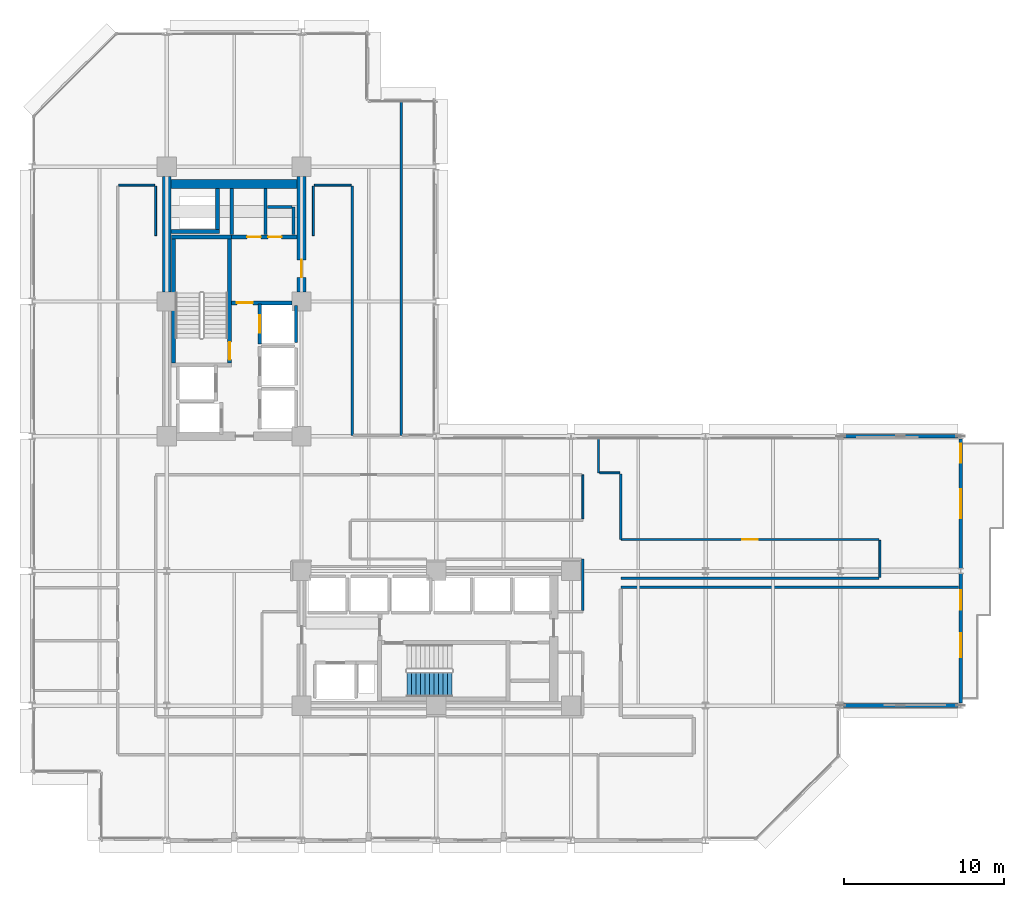
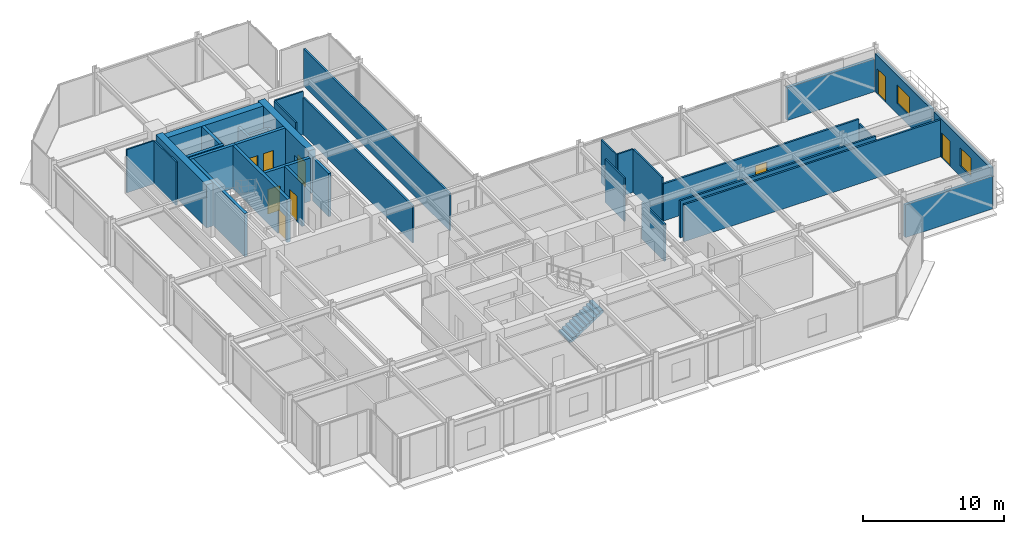
# One storey, part 35 of 40: 35 walls, 9 doors, 2 windows, 1 stair flight, 11 openings, 1 element without a shape of its own.
"""IFC4 building model written with IfcOpenShell, lengths in metres."""

from ifc_helpers import new_model, si_unit, direction, frame, frame_2d, origin, place, context, subcontext, project, spatial, polyline, rectangle, outline, extrude, material, layer, layer_set, type_object, element, fill, aggregate, save


model = new_model("IFC4")

# Units and contexts
model_context = context("Model", 3, precision=1e-05, world=origin(), true_north=direction((0.0, 1.0)))
body_context = subcontext(model_context, "Body", "Model", "MODEL_VIEW")
ifc_project = project(units=[si_unit("LENGTHUNIT", "METRE"), si_unit("AREAUNIT", "SQUARE_METRE"), si_unit("VOLUMEUNIT", "CUBIC_METRE"), si_unit("PLANEANGLEUNIT", "RADIAN"), si_unit("MASSUNIT", "GRAM", prefix="KILO")], contexts=[model_context])

# Site, building, storey
site_placement = place(None, origin())
site = spatial("IfcSite", under=ifc_project, at=site_placement, CompositionType="ELEMENT")
building_placement = place(site_placement, origin())
building = spatial("IfcBuilding", under=site, at=building_placement, Name="Nerrivon Quay Data Exchange", CompositionType="ELEMENT")
storey_placement = place(building_placement, frame((0.0, 0.0, 109.0)))
storey = spatial("IfcBuildingStorey", under=building, at=storey_placement, Name="L25", CompositionType="ELEMENT", Elevation=109.0)

# Wall, openings, door, window
ifc_material_1 = material(Name="Architectural terracotta precast concrete N50 (50 MPa)", Category="masonry")
ifc_layer_1 = layer(ifc_material_1, 0.239990234375)
ifc_layer_set_1 = layer_set([ifc_layer_1], Name="Architectural terracotta precast concrete N50 (50 MPa)")
wall_type_1 = type_object("IfcWallType", Name="EW-PREC-240", PredefinedType="STANDARD", material=ifc_layer_set_1)
wall_1_placement = place(storey_placement, frame((57.89990234375, 25.03662109375, 0.0), z_axis=(0.0, 0.0, 1.0), x_axis=(0.0, -1.0, 0.0)))
wall_1 = element("IfcWall", 1, at=wall_1_placement, inside=storey, type_object=wall_type_1, Name="L25 Terrace Host Wall 1", PredefinedType="STANDARD", context=body_context, shape_type="SweptSolid", body=[
    extrude(rectangle(XDim=8.0732421875, YDim=0.239990234375, at=frame_2d((4.03662109375, 0.0))), origin(), (0.0, 0.0, 1.0), 3.346923828125),
])
opening_1_placement = place(wall_1_placement, frame((0.300048828125, 0.0, 0.0)))
opening_1 = element("IfcOpeningElement", 2, at=opening_1_placement, cuts=wall_1, Name="Opening TD1", PredefinedType="OPENING", context=body_context, shape_type="SweptSolid", body=[
    extrude(rectangle(XDim=1.199951171875, YDim=2.199951171875, at=frame_2d((0.60009765625, 1.10009765625))), frame((0.0, 0.1298828125, 0.0), z_axis=(0.0, -1.0, 0.0), x_axis=(1.0, 0.0, 0.0)), (0.0, 0.0, 1.0), 0.260009765625),
])
opening_2_placement = place(wall_1_placement, frame((3.136474609375, 0.0, 0.89990234375)))
opening_2 = element("IfcOpeningElement", 3, at=opening_2_placement, cuts=wall_1, Name="Opening WN2", PredefinedType="OPENING", context=body_context, shape_type="SweptSolid", body=[
    extrude(rectangle(XDim=1.800048828125, YDim=1.60009765625, at=frame_2d((0.89990234375, 0.800048828125))), frame((0.0, 0.1298828125, 0.0), z_axis=(0.0, -1.0, 0.0), x_axis=(1.0, 0.0, 0.0)), (0.0, 0.0, 1.0), 0.260009765625),
])
ifc_material_2 = material(Name="Double-glazed low-E solar control glass", Category="glass")
door_type_1 = type_object("IfcDoorType", Name="DR-TERR-1200x2200", OperationType="NOTDEFINED", PredefinedType="DOOR", material=ifc_material_2)
door_1_placement = place(opening_1_placement, origin())
door_1 = element("IfcDoor", 4, at=door_1_placement, inside=storey, type_object=door_type_1, Name="L25 Outdoor Terrace Access Door 1", OperationType="SINGLE_SWING_RIGHT", OverallHeight=2.199951171875, OverallWidth=1.199951171875, PredefinedType="DOOR", context=body_context, shape_type="SweptSolid", body=[
    extrude(rectangle(XDim=1.199951171875, YDim=2.199951171875, at=frame_2d((0.60009765625, 1.10009765625))), frame((0.0, 0.02490234375, 0.0), z_axis=(0.0, -1.0, 0.0), x_axis=(1.0, 0.0, 0.0)), (0.0, 0.0, 1.0), 0.050048828125),
])
fill(opening_1, door_1)
window_type_1 = type_object("IfcWindowType", Name="WIN-W2-1800x1600", PartitioningType="SINGLE_PANEL", PredefinedType="WINDOW", material=ifc_material_2)
window_1_placement = place(opening_2_placement, origin())
window_1 = element("IfcWindow", 5, at=window_1_placement, inside=storey, type_object=window_type_1, Name="L25 Terrace Side Window 1", OverallHeight=1.60009765625, OverallWidth=1.800048828125, PartitioningType="SINGLE_PANEL", PredefinedType="WINDOW", context=body_context, shape_type="SweptSolid", body=[
    extrude(rectangle(XDim=1.800048828125, YDim=1.60009765625, at=frame_2d((0.89990234375, 0.800048828125))), frame((0.0, 0.030029296875, 0.0), z_axis=(0.0, -1.0, 0.0), x_axis=(1.0, 0.0, 0.0)), (0.0, 0.0, 1.0), 0.06005859375),
])
fill(opening_2, window_1)

wall_2_placement = place(storey_placement, frame((57.89990234375, 16.636474609375, 0.0), z_axis=(0.0, 0.0, 1.0), x_axis=(0.0, -1.0, 0.0)))
wall_2 = element("IfcWall", 6, at=wall_2_placement, inside=storey, type_object=wall_type_1, Name="L25 Terrace Host Wall 2", PredefinedType="STANDARD", context=body_context, shape_type="SweptSolid", body=[
    extrude(rectangle(XDim=8.072998046875, YDim=0.239990234375, at=frame_2d((4.03662109375, 0.0))), origin(), (0.0, 0.0, 1.0), 3.346923828125),
])
opening_3_placement = place(wall_2_placement, frame((1.050048828125, 0.0, 0.0)))
opening_3 = element("IfcOpeningElement", 7, at=opening_3_placement, cuts=wall_2, Name="Opening TD1", PredefinedType="OPENING", context=body_context, shape_type="SweptSolid", body=[
    extrude(rectangle(XDim=1.199951171875, YDim=2.199951171875, at=frame_2d((0.60009765625, 1.10009765625))), frame((0.0, 0.1298828125, 0.0), z_axis=(0.0, -1.0, 0.0), x_axis=(1.0, 0.0, 0.0)), (0.0, 0.0, 1.0), 0.260009765625),
])
opening_4_placement = place(wall_2_placement, frame((3.72216796875, 0.0, 0.89990234375)))
opening_4 = element("IfcOpeningElement", 8, at=opening_4_placement, cuts=wall_2, Name="Opening WN4", PredefinedType="OPENING", context=body_context, shape_type="SweptSolid", body=[
    extrude(rectangle(XDim=1.5, YDim=1.60009765625, at=frame_2d((0.75, 0.800048828125))), frame((0.0, 0.1298828125, 0.0), z_axis=(0.0, -1.0, 0.0), x_axis=(1.0, 0.0, 0.0)), (0.0, 0.0, 1.0), 0.260009765625),
])
door_2_placement = place(opening_3_placement, origin())
door_2 = element("IfcDoor", 9, at=door_2_placement, inside=storey, type_object=door_type_1, Name="L25 Outdoor Terrace Access Door 2", OperationType="SINGLE_SWING_LEFT", OverallHeight=2.199951171875, OverallWidth=1.199951171875, PredefinedType="DOOR", context=body_context, shape_type="SweptSolid", body=[
    extrude(rectangle(XDim=1.199951171875, YDim=2.199951171875, at=frame_2d((0.60009765625, 1.10009765625))), frame((0.0, 0.02490234375, 0.0), z_axis=(0.0, -1.0, 0.0), x_axis=(1.0, 0.0, 0.0)), (0.0, 0.0, 1.0), 0.050048828125),
])
fill(opening_3, door_2)
window_type_2 = type_object("IfcWindowType", Name="WIN-W4-1500x1600", PartitioningType="SINGLE_PANEL", PredefinedType="WINDOW", material=ifc_material_2)
window_2_placement = place(opening_4_placement, origin())
window_2 = element("IfcWindow", 10, at=window_2_placement, inside=storey, type_object=window_type_2, Name="L25 Terrace Side Window 2", OverallHeight=1.60009765625, OverallWidth=1.5, PartitioningType="SINGLE_PANEL", PredefinedType="WINDOW", context=body_context, shape_type="SweptSolid", body=[
    extrude(rectangle(XDim=1.5, YDim=1.60009765625, at=frame_2d((0.75, 0.800048828125))), frame((0.0, 0.030029296875, 0.0), z_axis=(0.0, -1.0, 0.0), x_axis=(1.0, 0.0, 0.0)), (0.0, 0.0, 1.0), 0.06005859375),
])
fill(opening_4, window_2)

# Walls
for number, where, z_axis, x_axis, name in (
    (11, (57.744384765625, 8.39990234375, 0.0), (0.0, 0.0, 1.0), (-1.0, 0.0, 0.0), "L25 Plant Enclosure Wall 3"),
    (12, (50.60009765625, 25.199951171875, 0.0), (0.0, 0.0, 1.0), (1.0, 0.0, 0.0), "L25 Plant Enclosure Wall 35"),
):
    element("IfcWall", number, at=place(storey_placement, frame(where, z_axis=z_axis, x_axis=x_axis)), inside=storey, type_object=wall_type_1, Name=name, PredefinedType="STANDARD", context=body_context, shape_type="SweptSolid", body=[
        extrude(rectangle(XDim=7.144287109375, YDim=0.239990234375, at=frame_2d((3.572265625, 0.0))), origin(), (0.0, 0.0, 1.0), 2.840087890625),
    ])
ifc_material_3 = material(Name="Concrete S65 (65 MPa)", Category="concrete")
ifc_layer_2 = layer(ifc_material_3, 0.550048828125)
ifc_layer_set_2 = layer_set([ifc_layer_2], Name="Concrete S65 (65 MPa)")
wall_type_2 = type_object("IfcWallType", Name="WALL-CW-700", PredefinedType="SHEAR", material=ifc_layer_set_2)
wall_3_placement = place(storey_placement, frame((8.39990234375, 34.199951171875, 0.0), z_axis=(0.0, 0.0, 1.0), x_axis=(0.0, 1.0, 0.0)))
element("IfcWall", 13, at=wall_3_placement, inside=storey, type_object=wall_type_2, Name="L25 West Split-Core Shear Wall WCW-W2", PredefinedType="SHEAR", context=body_context, shape_type="SweptSolid", body=[
    extrude(rectangle(XDim=7.199951171875, YDim=0.550048828125, at=frame_2d((3.60009765625, 0.0))), origin(), (0.0, 0.0, 1.0), 3.75),
])
wall_4_placement = place(storey_placement, frame((8.675048828125, 40.925048828125, 0.0), z_axis=(0.0, 0.0, 1.0), x_axis=(1.0, 0.0, 0.0)))
element("IfcWall", 14, at=wall_4_placement, inside=storey, type_object=wall_type_2, Name="L25 West Split-Core Shear Wall WCW-N1", PredefinedType="SHEAR", context=body_context, shape_type="SweptSolid", body=[
    extrude(rectangle(XDim=7.849853515625, YDim=0.550048828125, at=frame_2d((3.9248046875, 0.0))), origin(), (0.0, 0.0, 1.0), 3.75),
])

# Wall, opening, door
wall_5_placement = place(storey_placement, frame((16.800048828125, 34.199951171875, 0.0), z_axis=(0.0, 0.0, 1.0), x_axis=(0.0, 1.0, 0.0)))
wall_5 = element("IfcWall", 15, at=wall_5_placement, inside=storey, type_object=wall_type_2, Name="L25 West Split-Core Shear Wall WCW-E1", PredefinedType="SHEAR", context=body_context, shape_type="SweptSolid", body=[
    extrude(rectangle(XDim=7.199951171875, YDim=0.550048828125, at=frame_2d((3.60009765625, 0.0))), origin(), (0.0, 0.0, 1.0), 3.75),
])
opening_5_placement = place(wall_5_placement, frame((0.89990234375, 0.0, 0.0)))
opening_5 = element("IfcOpeningElement", 16, at=opening_5_placement, cuts=wall_5, Name="Opening FD-120", PredefinedType="OPENING", context=body_context, shape_type="SweptSolid", body=[
    extrude(rectangle(XDim=1.10009765625, YDim=2.14990234375, at=frame_2d((0.550048828125, 1.074951171875))), frame((0.0, 0.284912109375, 0.0), z_axis=(0.0, -1.0, 0.0), x_axis=(1.0, 0.0, 0.0)), (0.0, 0.0, 1.0), 0.570068359375),
])
ifc_material_4 = material(Name="Powder-coated galvanized steel sheet", Category="steel")
door_type_2 = type_object("IfcDoorType", Name="DR-FD120-1100", OperationType="NOTDEFINED", PredefinedType="DOOR", material=ifc_material_4)
door_3_placement = place(opening_5_placement, origin())
door_3 = element("IfcDoor", 17, at=door_3_placement, inside=storey, type_object=door_type_2, Name="L25 West Core Lobby Fire Door", OperationType="SINGLE_SWING_LEFT", OverallHeight=2.14990234375, OverallWidth=1.10009765625, PredefinedType="DOOR", context=body_context, shape_type="SweptSolid", body=[
    extrude(rectangle(XDim=1.10009765625, YDim=2.14990234375, at=frame_2d((0.550048828125, 1.074951171875))), frame((0.0, 0.02490234375, 0.0), z_axis=(0.0, -1.0, 0.0), x_axis=(1.0, 0.0, 0.0)), (0.0, 0.0, 1.0), 0.050048828125),
])
fill(opening_5, door_3)

ifc_material_5 = material(Name="Gypsum plasterboard on cold-formed framing", Category="gypsum")
ifc_layer_3 = layer(ifc_material_5, 0.199951171875)
ifc_layer_set_3 = layer_set([ifc_layer_3], Name="Gypsum plasterboard on cold-formed framing")
wall_type_3 = type_object("IfcWallType", Name="WALL-FW-200", PredefinedType="PARTITIONING", material=ifc_layer_set_3)
wall_6_placement = place(storey_placement, frame((14.199951171875, 30.949951171875, 0.0), z_axis=(0.0, 0.0, 1.0), x_axis=(0.0, 1.0, 0.0)))
wall_6 = element("IfcWall", 18, at=wall_6_placement, inside=storey, type_object=wall_type_3, Name="L25 Lift Front Wall PL3", PredefinedType="PARTITIONING", context=body_context, shape_type="SweptSolid", body=[
    extrude(rectangle(XDim=2.5, YDim=0.199951171875, at=frame_2d((1.25, 0.0))), origin(), (0.0, 0.0, 1.0), 3.75),
])
opening_6_placement = place(wall_6_placement, frame((0.699951171875, 0.0, 0.0)))
opening_6 = element("IfcOpeningElement", 19, at=opening_6_placement, cuts=wall_6, Name="Opening LD-120", PredefinedType="OPENING", context=body_context, shape_type="SweptSolid", body=[
    extrude(rectangle(XDim=1.10009765625, YDim=2.199951171875, at=frame_2d((0.550048828125, 1.10009765625))), frame((0.0, 0.10986328125, 0.0), z_axis=(0.0, -1.0, 0.0), x_axis=(1.0, 0.0, 0.0)), (0.0, 0.0, 1.0), 0.219970703125),
])
door_type_3 = type_object("IfcDoorType", Name="DR-LIFT-LD120", OperationType="DOUBLE_DOOR_SLIDING", PredefinedType="DOOR", material=ifc_material_4)
door_4_placement = place(opening_6_placement, origin())
door_4 = element("IfcDoor", 20, at=door_4_placement, inside=storey, type_object=door_type_3, Name="L25 Lift Landing Sliding Door PL3", OperationType="DOUBLE_DOOR_SLIDING", OverallHeight=2.199951171875, OverallWidth=1.10009765625, PredefinedType="DOOR", context=body_context, shape_type="SweptSolid", body=[
    extrude(rectangle(XDim=1.10009765625, YDim=2.199951171875, at=frame_2d((0.550048828125, 1.10009765625))), frame((0.0, 0.02490234375, 0.0), z_axis=(0.0, -1.0, 0.0), x_axis=(1.0, 0.0, 0.0)), (0.0, 0.0, 1.0), 0.050048828125),
])
fill(opening_6, door_4)

# Walls
wall_7_placement = place(storey_placement, frame((16.449951171875, 31.050048828125, 0.0), z_axis=(0.0, 0.0, 1.0), x_axis=(0.0, 1.0, 0.0)))
element("IfcWall", 21, at=wall_7_placement, inside=storey, type_object=wall_type_3, Name="L25 Lift Shaft Wall PL3 EAST", PredefinedType="PARTITIONING", context=body_context, shape_type="SweptSolid", body=[
    extrude(rectangle(XDim=2.300048828125, YDim=0.199951171875, at=frame_2d((1.14990234375, 0.0))), origin(), (0.0, 0.0, 1.0), 3.75),
])
for number, where, z_axis, x_axis, name in (
    (22, (14.550048828125, 37.780029296875, 0.0), (0.0, 0.0, 1.0), (0.0, 1.0, 0.0), "L25 Partition Electrical Switchboard Closet"),
    (23, (12.449951171875, 40.64599609375, 0.0), (0.0, 0.0, 1.0), (0.0, -1.0, 0.0), "L25 Partition Electrical Switchboard Closet"),
):
    element("IfcWall", number, at=place(storey_placement, frame(where, z_axis=z_axis, x_axis=x_axis)), inside=storey, type_object=wall_type_3, Name=name, PredefinedType="PARTITIONING", context=body_context, shape_type="SweptSolid", body=[
        extrude(rectangle(XDim=2.865966796875, YDim=0.199951171875, at=frame_2d((1.43310546875, 0.0))), origin(), (0.0, 0.0, 1.0), 2.64990234375),
    ])
wall_8_placement = place(storey_placement, frame((16.300048828125, 37.780029296875, 0.0), z_axis=(0.0, 0.0, 1.0), x_axis=(0.0, 1.0, 0.0)))
element("IfcWall", 24, at=wall_8_placement, inside=storey, type_object=wall_type_3, Name="L25 Partition Janitor Closet", PredefinedType="PARTITIONING", context=body_context, shape_type="SweptSolid", body=[
    extrude(rectangle(XDim=1.719970703125, YDim=0.199951171875, at=frame_2d((0.85986328125, 0.0))), origin(), (0.0, 0.0, 1.0), 2.64990234375),
])
wall_9_placement = place(storey_placement, frame((16.196044921875, 39.5, 0.0), z_axis=(0.0, 0.0, 1.0), x_axis=(-1.0, 0.0, 0.0)))
element("IfcWall", 25, at=wall_9_placement, inside=storey, type_object=wall_type_3, Name="L25 Partition Janitor Closet", PredefinedType="PARTITIONING", context=body_context, shape_type="SweptSolid", body=[
    extrude(rectangle(XDim=1.506103515625, YDim=0.199951171875, at=frame_2d((0.7529296875, 0.0))), origin(), (0.0, 0.0, 1.0), 2.64990234375),
])
ifc_layer_4 = layer(ifc_material_5, 0.1201171875)
ifc_layer_set_4 = layer_set([ifc_layer_4], Name="Gypsum plasterboard on cold-formed framing")
wall_type_4 = type_object("IfcWallType", Name="WALL-PT-120", PredefinedType="PARTITIONING", material=ifc_layer_set_4)
wall_10_placement = place(storey_placement, frame((35.31689453125, 25.031005859375, 0.0), z_axis=(0.0, 0.0, 1.0), x_axis=(0.0, -1.0, 0.0)))
element("IfcWall", 26, at=wall_10_placement, inside=storey, type_object=wall_type_4, Name="L25 Partition Staff Tea Pantry", PredefinedType="PARTITIONING", context=body_context, shape_type="SweptSolid", body=[
    extrude(rectangle(XDim=2.12109375, YDim=0.1201171875, at=frame_2d((1.060546875, 0.0))), origin(), (0.0, 0.0, 1.0), 3.75),
])
wall_11_placement = place(storey_placement, frame((35.381103515625, 22.909912109375, 0.0), z_axis=(0.0, 0.0, 1.0), x_axis=(1.0, 0.0, 0.0)))
element("IfcWall", 27, at=wall_11_placement, inside=storey, type_object=wall_type_4, Name="L25 Partition Staff Tea Pantry", PredefinedType="PARTITIONING", context=body_context, shape_type="SweptSolid", body=[
    extrude(rectangle(XDim=1.268798828125, YDim=0.1201171875, at=frame_2d((0.63427734375, 0.0))), origin(), (0.0, 0.0, 1.0), 3.75),
])
wall_12_placement = place(storey_placement, frame((52.860107421875, 18.699951171875, 0.0), z_axis=(0.0, 0.0, 1.0), x_axis=(0.0, -1.0, 0.0)))
element("IfcWall", 28, at=wall_12_placement, inside=storey, type_object=wall_type_4, Name="L25 Partition Staff Tea Pantry", PredefinedType="PARTITIONING", context=body_context, shape_type="SweptSolid", body=[
    extrude(rectangle(XDim=2.300048828125, YDim=0.1201171875, at=frame_2d((1.14990234375, 0.0))), origin(), (0.0, 0.0, 1.0), 2.840087890625),
])
wall_13_placement = place(storey_placement, frame((34.340087890625, 20.0390625, 0.0), z_axis=(0.0, 0.0, 1.0), x_axis=(0.0, 1.0, 0.0)))
element("IfcWall", 29, at=wall_13_placement, inside=storey, type_object=wall_type_4, Name="L25 Partition Cloud Compute Workspace 1", PredefinedType="PARTITIONING", context=body_context, shape_type="SweptSolid", body=[
    extrude(rectangle(XDim=2.7509765625, YDim=0.1201171875, at=frame_2d((1.37548828125, 0.0))), origin(), (0.0, 0.0, 1.0), 3.75),
])
wall_14_placement = place(storey_placement, frame((5.39990234375, 40.860107421875, 0.0), z_axis=(0.0, 0.0, 1.0), x_axis=(1.0, 0.0, 0.0)))
element("IfcWall", 30, at=wall_14_placement, inside=storey, type_object=wall_type_4, Name="L25 Partition Optical Engineering Studios Workspace", PredefinedType="PARTITIONING", context=body_context, shape_type="SweptSolid", body=[
    extrude(rectangle(XDim=2.25, YDim=0.1201171875, at=frame_2d((1.125, 0.0))), origin(), (0.0, 0.0, 1.0), 3.75),
])
for number, where, z_axis, x_axis, name in (
    (31, (7.7099609375, 40.800048828125, 0.0), (0.0, 0.0, 1.0), (0.0, -1.0, 0.0), "L25 Partition Optical Engineering Studios Workspace"),
    (32, (17.5400390625, 37.7099609375, 0.0), (0.0, 0.0, 1.0), (0.0, 1.0, 0.0), "L25 Partition Optical Engineering Studios Workspace"),
):
    element("IfcWall", number, at=place(storey_placement, frame(where, z_axis=z_axis, x_axis=x_axis)), inside=storey, type_object=wall_type_4, Name=name, PredefinedType="PARTITIONING", context=body_context, shape_type="SweptSolid", body=[
        extrude(rectangle(XDim=3.090087890625, YDim=0.1201171875, at=frame_2d((1.544921875, 0.0))), origin(), (0.0, 0.0, 1.0), 3.75),
    ])
wall_15_placement = place(storey_placement, frame((17.60009765625, 40.860107421875, 0.0), z_axis=(0.0, 0.0, 1.0), x_axis=(1.0, 0.0, 0.0)))
element("IfcWall", 33, at=wall_15_placement, inside=storey, type_object=wall_type_4, Name="L25 Partition Optical Engineering Studios Workspace", PredefinedType="PARTITIONING", context=body_context, shape_type="SweptSolid", body=[
    extrude(rectangle(XDim=2.2998046875, YDim=0.1201171875, at=frame_2d((1.14990234375, 0.0))), origin(), (0.0, 0.0, 1.0), 3.75),
])
ifc_layer_5 = layer(ifc_material_5, 0.135009765625)
ifc_layer_set_5 = layer_set([ifc_layer_5], Name="Gypsum plasterboard on cold-formed framing")
wall_type_5 = type_object("IfcWallType", Name="WALL-PT-135", PredefinedType="PARTITIONING", material=ifc_layer_set_5)
wall_16_placement = place(storey_placement, frame((36.7099609375, 22.85009765625, 0.0), z_axis=(0.0, 0.0, 1.0), x_axis=(0.0, -1.0, 0.0)))
element("IfcWall", 34, at=wall_16_placement, inside=storey, type_object=wall_type_5, Name="L25 Partition Staff Tea Pantry", PredefinedType="PARTITIONING", context=body_context, shape_type="SweptSolid", body=[
    extrude(rectangle(XDim=4.090087890625, YDim=0.135009765625, at=frame_2d((2.044921875, 0.0))), origin(), (0.0, 0.0, 1.0), 3.75),
])
wall_17_placement = place(storey_placement, frame((34.340087890625, 14.323974609375, 0.0), z_axis=(0.0, 0.0, 1.0), x_axis=(0.0, 1.0, 0.0)))
element("IfcWall", 35, at=wall_17_placement, inside=storey, type_object=wall_type_5, Name="L25 Partition Cloud Compute Workspace 1", PredefinedType="PARTITIONING", context=body_context, shape_type="SweptSolid", body=[
    extrude(rectangle(XDim=3.216064453125, YDim=0.135009765625, at=frame_2d((1.60791015625, 0.0))), origin(), (0.0, 0.0, 1.0), 3.217041015625),
])
ifc_layer_6 = layer(ifc_material_5, 0.14990234375)
ifc_layer_set_6 = layer_set([ifc_layer_6], Name="Gypsum plasterboard on cold-formed framing")
wall_type_6 = type_object("IfcWallType", Name="WALL-PT-150", PredefinedType="PARTITIONING", material=ifc_layer_set_6)
wall_18_placement = place(storey_placement, frame((23.009033203125, 46.031005859375, 0.0), z_axis=(0.0, 0.0, 1.0), x_axis=(0.0, -1.0, 0.0)))
element("IfcWall", 36, at=wall_18_placement, inside=storey, type_object=wall_type_6, Name="L25 Partition Shared Breakout Kitchenette", PredefinedType="PARTITIONING", context=body_context, shape_type="SweptSolid", body=[
    extrude(rectangle(XDim=20.77099609375, YDim=0.14990234375, at=frame_2d((10.385498046875, 0.0))), origin(), (0.0, 0.0, 1.0), 3.217041015625),
])
wall_19_placement = place(storey_placement, frame((52.800048828125, 16.340087890625, 0.0), z_axis=(0.0, 0.0, 1.0), x_axis=(-1.0, 0.0, 0.0)))
element("IfcWall", 37, at=wall_19_placement, inside=storey, type_object=wall_type_6, Name="L25 Partition Staff Tea Pantry", PredefinedType="PARTITIONING", context=body_context, shape_type="SweptSolid", body=[
    extrude(rectangle(XDim=16.090087890625, YDim=0.14990234375, at=frame_2d((8.044921875, 0.0))), origin(), (0.0, 0.0, 1.0), 3.221923828125),
])
wall_20_placement = place(storey_placement, frame((36.7099609375, 15.795166015625, 0.0), z_axis=(0.0, 0.0, 1.0), x_axis=(1.0, 0.0, 0.0)))
element("IfcWall", 38, at=wall_20_placement, inside=storey, type_object=wall_type_6, Name="L25 Partition Staff Tea Pantry", PredefinedType="PARTITIONING", context=body_context, shape_type="SweptSolid", body=[
    extrude(rectangle(XDim=21.06591796875, YDim=0.14990234375, at=frame_2d((10.532958984375, 0.0))), origin(), (0.0, 0.0, 1.0), 3.221923828125),
])

# Wall, opening, door
wall_21_placement = place(storey_placement, frame((36.7099609375, 18.760009765625, 0.0), z_axis=(0.0, 0.0, 1.0), x_axis=(0.999999999885, -1.5167832e-05, 0.0)))
wall_21 = element("IfcWall", 39, at=wall_21_placement, inside=storey, type_object=wall_type_6, Name="L25 Partition Staff Tea Pantry", PredefinedType="PARTITIONING", context=body_context, shape_type="SweptSolid", body=[
    extrude(rectangle(XDim=16.095947265625, YDim=0.14990234375, at=frame_2d((8.0478515625, 0.0))), origin(), (0.0, 0.0, 1.0), 3.221923828125),
])
opening_7_placement = place(wall_21_placement, frame((7.572998046875, 0.0, 0.0)))
opening_7 = element("IfcOpeningElement", 40, at=opening_7_placement, cuts=wall_21, Name="Opening D-01", PredefinedType="OPENING", context=body_context, shape_type="SweptSolid", body=[
    extrude(rectangle(XDim=0.949951171875, YDim=2.14990234375, at=frame_2d((0.47509765625, 1.074951171875))), frame((0.0, 0.0849609375, 0.0), z_axis=(0.0, -1.0, 0.0), x_axis=(1.0, 0.0, 0.0)), (0.0, 0.0, 1.0), 0.169921875),
])
ifc_material_6 = material(Name="Engineered hardwood timber", Category="wood")
door_type_4 = type_object("IfcDoorType", Name="DR-INT-950", OperationType="NOTDEFINED", PredefinedType="DOOR", material=ifc_material_6)
door_5_placement = place(opening_7_placement, origin())
door_5 = element("IfcDoor", 41, at=door_5_placement, inside=storey, type_object=door_type_4, Name="L25 Door Staff Tea Pantry", OperationType="SINGLE_SWING_RIGHT", OverallHeight=2.14990234375, OverallWidth=0.949951171875, PredefinedType="DOOR", context=body_context, shape_type="SweptSolid", body=[
    extrude(rectangle(XDim=0.949951171875, YDim=2.14990234375, at=frame_2d((0.47509765625, 1.074951171875))), frame((0.0, 0.02490234375, 0.0), z_axis=(0.0, -1.0, 0.0), x_axis=(1.0, 0.0, 0.0)), (0.0, 0.0, 1.0), 0.050048828125),
])
fill(opening_7, door_5)

# Walls
wall_22_placement = place(storey_placement, frame((19.9599609375, 40.800048828125, 0.0), z_axis=(0.0, 0.0, 1.0), x_axis=(0.0, -1.0, 0.0)))
element("IfcWall", 42, at=wall_22_placement, inside=storey, type_object=wall_type_6, Name="L25 Partition Optical Engineering Studios Workspace", PredefinedType="PARTITIONING", context=body_context, shape_type="SweptSolid", body=[
    extrude(rectangle(XDim=15.5400390625, YDim=0.14990234375, at=frame_2d((7.77001953125, 0.0))), origin(), (0.0, 0.0, 1.0), 3.217041015625),
])
ifc_material_7 = material(Name="Concrete N50 (50 MPa)", Category="concrete")
ifc_layer_7 = layer(ifc_material_7, 0.25)
ifc_layer_set_7 = layer_set([ifc_layer_7], Name="Concrete N50 (50 MPa)")
wall_type_7 = type_object("IfcWallType", Name="WALL-SW-250", PredefinedType="SHEAR", material=ifc_layer_set_7)
wall_23_placement = place(storey_placement, frame((12.449951171875, 37.625, 0.0), z_axis=(0.0, 0.0, 1.0), x_axis=(-1.0, 0.0, 0.0)))
element("IfcWall", 43, at=wall_23_placement, inside=storey, type_object=wall_type_7, Name="L25 ST01 Structural Stair Core Wall FAR", PredefinedType="SHEAR", context=body_context, shape_type="SweptSolid", body=[
    extrude(rectangle(XDim=3.75, YDim=0.25, at=frame_2d((1.875, 0.0))), origin(), (0.0, 0.0, 1.0), 3.75),
])

# Wall, opening, door
wall_24_placement = place(storey_placement, frame((12.324951171875, 29.75, 0.0), z_axis=(0.0, 0.0, 1.0), x_axis=(0.0, 1.0, 0.0)))
wall_24 = element("IfcWall", 44, at=wall_24_placement, inside=storey, type_object=wall_type_7, Name="L25 ST01 Structural Stair Core Wall LEFT", PredefinedType="SHEAR", context=body_context, shape_type="SweptSolid", body=[
    extrude(rectangle(XDim=7.75, YDim=0.25, at=frame_2d((3.875, 0.0))), origin(), (0.0, 0.0, 1.0), 3.75),
])
opening_8_placement = place(wall_24_placement, frame((0.219970703125, 0.0, 0.0)))
opening_8 = element("IfcOpeningElement", 45, at=opening_8_placement, cuts=wall_24, Name="Opening FD-120", PredefinedType="OPENING", context=body_context, shape_type="SweptSolid", body=[
    extrude(rectangle(XDim=1.10009765625, YDim=2.14990234375, at=frame_2d((0.550048828125, 1.074951171875))), frame((0.0, 0.135009765625, 0.0), z_axis=(0.0, -1.0, 0.0), x_axis=(1.0, 0.0, 0.0)), (0.0, 0.0, 1.0), 0.27001953125),
])
door_6_placement = place(opening_8_placement, origin())
door_6 = element("IfcDoor", 46, at=door_6_placement, inside=storey, type_object=door_type_2, Name="L25 Protected Stair Door ST01", OperationType="SINGLE_SWING_LEFT", OverallHeight=2.14990234375, OverallWidth=1.10009765625, PredefinedType="DOOR", context=body_context, shape_type="SweptSolid", body=[
    extrude(rectangle(XDim=1.10009765625, YDim=2.14990234375, at=frame_2d((0.550048828125, 1.074951171875))), frame((0.0, 0.02490234375, 0.0), z_axis=(0.0, -1.0, 0.0), x_axis=(1.0, 0.0, 0.0)), (0.0, 0.0, 1.0), 0.050048828125),
])
fill(opening_8, door_6)

# Walls
wall_25_placement = place(storey_placement, frame((8.824951171875, 29.75, 0.0), z_axis=(0.0, 0.0, 1.0), x_axis=(0.0, 1.0, 0.0)))
element("IfcWall", 47, at=wall_25_placement, inside=storey, type_object=wall_type_7, Name="L25 ST01 Structural Stair Core Wall RIGHT", PredefinedType="SHEAR", context=body_context, shape_type="SweptSolid", body=[
    extrude(rectangle(XDim=7.75, YDim=0.25, at=frame_2d((3.875, 0.0))), origin(), (0.0, 0.0, 1.0), 3.75),
])
wall_26_placement = place(storey_placement, frame((8.675048828125, 37.97509765625, 0.0), z_axis=(0.0, 0.0, 1.0), x_axis=(1.0, 0.0, 0.0)))
element("IfcWall", 48, at=wall_26_placement, inside=storey, type_object=wall_type_7, Name="L25 West Core MEP Riser Shaft Wall S", PredefinedType="SHEAR", context=body_context, shape_type="SweptSolid", body=[
    extrude(rectangle(XDim=3.02490234375, YDim=0.25, at=frame_2d((1.512451171875, 0.0))), origin(), (0.0, 0.0, 1.0), 3.75),
])
wall_27_placement = place(storey_placement, frame((11.574951171875, 38.10009765625, 0.0), z_axis=(0.0, 0.0, 1.0), x_axis=(0.0, 1.0, 0.0)))
element("IfcWall", 49, at=wall_27_placement, inside=storey, type_object=wall_type_7, Name="L25 West Core MEP Riser Shaft Wall E", PredefinedType="SHEAR", context=body_context, shape_type="SweptSolid", body=[
    extrude(rectangle(XDim=2.5498046875, YDim=0.25, at=frame_2d((1.27490234375, 0.0))), origin(), (0.0, 0.0, 1.0), 3.75),
])

# Wall, opening, door
wall_28_placement = place(storey_placement, frame((12.449951171875, 33.52001953125, 0.0), z_axis=(0.0, 0.0, 1.0), x_axis=(1.0, 0.0, 0.0)))
wall_28 = element("IfcWall", 50, at=wall_28_placement, inside=storey, type_object=wall_type_7, Name="L25 West Lobby Smoke-Stop Wall", PredefinedType="SHEAR", context=body_context, shape_type="SweptSolid", body=[
    extrude(rectangle(XDim=3.75, YDim=0.25, at=frame_2d((1.875, 0.0))), origin(), (0.0, 0.0, 1.0), 3.75),
])
opening_9_placement = place(wall_28_placement, frame((0.320068359375, 0.0, 0.0)))
opening_9 = element("IfcOpeningElement", 51, at=opening_9_placement, cuts=wall_28, Name="Opening FD-60", PredefinedType="OPENING", context=body_context, shape_type="SweptSolid", body=[
    extrude(rectangle(XDim=1.0, YDim=2.14990234375, at=frame_2d((0.5, 1.074951171875))), frame((0.0, 0.135009765625, 0.0), z_axis=(0.0, -1.0, 0.0), x_axis=(1.0, 0.0, 0.0)), (0.0, 0.0, 1.0), 0.27001953125),
])
door_type_5 = type_object("IfcDoorType", Name="DR-FD60-1000", OperationType="NOTDEFINED", PredefinedType="DOOR", material=ifc_material_6)
door_7_placement = place(opening_9_placement, origin())
door_7 = element("IfcDoor", 52, at=door_7_placement, inside=storey, type_object=door_type_5, Name="L25 West Firefighting Lobby Fire Door", OperationType="SINGLE_SWING_LEFT", OverallHeight=2.14990234375, OverallWidth=1.0, PredefinedType="DOOR", context=body_context, shape_type="SweptSolid", body=[
    extrude(rectangle(XDim=1.0, YDim=2.14990234375, at=frame_2d((0.5, 1.074951171875))), frame((0.0, 0.02490234375, 0.0), z_axis=(0.0, -1.0, 0.0), x_axis=(1.0, 0.0, 0.0)), (0.0, 0.0, 1.0), 0.050048828125),
])
fill(opening_9, door_7)

# Wall, openings, doors
wall_29_placement = place(storey_placement, frame((12.449951171875, 37.625, 0.0), z_axis=(0.0, 0.0, 1.0), x_axis=(1.0, 0.0, 0.0)))
wall_29 = element("IfcWall", 53, at=wall_29_placement, inside=storey, type_object=wall_type_7, Name="L25 West Firefighting Lobby Wall", PredefinedType="SHEAR", context=body_context, shape_type="SweptSolid", body=[
    extrude(rectangle(XDim=4.074951171875, YDim=0.25, at=frame_2d((2.03759765625, 0.0))), origin(), (0.0, 0.0, 1.0), 3.75),
])
opening_10_placement = place(wall_29_placement, frame((0.96044921875, 0.0, 0.0)))
opening_10 = element("IfcOpeningElement", 54, at=opening_10_placement, cuts=wall_29, Name="Opening FD-60S", PredefinedType="OPENING", context=body_context, shape_type="SweptSolid", body=[
    extrude(rectangle(XDim=0.85009765625, YDim=2.14990234375, at=frame_2d((0.425048828125, 1.074951171875))), frame((0.0, 0.135009765625, 0.0), z_axis=(0.0, -1.0, 0.0), x_axis=(1.0, 0.0, 0.0)), (0.0, 0.0, 1.0), 0.27001953125),
])
opening_11_placement = place(wall_29_placement, frame((2.264404296875, 0.0, 0.0)))
opening_11 = element("IfcOpeningElement", 55, at=opening_11_placement, cuts=wall_29, Name="Opening FD-60S", PredefinedType="OPENING", context=body_context, shape_type="SweptSolid", body=[
    extrude(rectangle(XDim=0.85009765625, YDim=2.14990234375, at=frame_2d((0.425048828125, 1.074951171875))), frame((0.0, 0.135009765625, 0.0), z_axis=(0.0, -1.0, 0.0), x_axis=(1.0, 0.0, 0.0)), (0.0, 0.0, 1.0), 0.27001953125),
])
door_type_6 = type_object("IfcDoorType", Name="DR-FD60-850", OperationType="NOTDEFINED", PredefinedType="DOOR", material=ifc_material_6)
door_8_placement = place(opening_10_placement, origin())
door_8 = element("IfcDoor", 56, at=door_8_placement, inside=storey, type_object=door_type_6, Name="L25 Door Electrical Switchboard Closet", OperationType="SINGLE_SWING_LEFT", OverallHeight=2.14990234375, OverallWidth=0.85009765625, PredefinedType="DOOR", context=body_context, shape_type="SweptSolid", body=[
    extrude(rectangle(XDim=0.85009765625, YDim=2.14990234375, at=frame_2d((0.425048828125, 1.074951171875))), frame((0.0, 0.02490234375, 0.0), z_axis=(0.0, -1.0, 0.0), x_axis=(1.0, 0.0, 0.0)), (0.0, 0.0, 1.0), 0.050048828125),
])
fill(opening_10, door_8)
door_9_placement = place(opening_11_placement, origin())
door_9 = element("IfcDoor", 57, at=door_9_placement, inside=storey, type_object=door_type_6, Name="L25 Door Janitor Closet", OperationType="SINGLE_SWING_RIGHT", OverallHeight=2.14990234375, OverallWidth=0.85009765625, PredefinedType="DOOR", context=body_context, shape_type="SweptSolid", body=[
    extrude(rectangle(XDim=0.85009765625, YDim=2.14990234375, at=frame_2d((0.425048828125, 1.074951171875))), frame((0.0, 0.02490234375, 0.0), z_axis=(0.0, -1.0, 0.0), x_axis=(1.0, 0.0, 0.0)), (0.0, 0.0, 1.0), 0.050048828125),
])
fill(opening_11, door_9)

# Stair, stair flight
stair_type = type_object("IfcStairType", Name="STAIR-DOG-41", PredefinedType="HALF_TURN_STAIR", material=ifc_material_7)
stair_placement = place(storey_placement, origin())
stair = element("IfcStair", 58, at=stair_placement, inside=storey, type_object=stair_type, Name="L25 East Core Fire Stair ST02", PredefinedType="HALF_TURN_STAIR")
stair_flight_type = type_object("IfcStairFlightType", Name="FLIGHT-DOG-41", PredefinedType="STRAIGHT", material=ifc_material_7)
stair_flight_placement = place(storey_placement, frame((23.3798828125, 9.72509765625, 0.0), z_axis=(0.0, 0.0, 1.0), x_axis=(1.0, 0.0, 0.0)))
stair_flight = element("IfcStairFlight", 59, at=stair_flight_placement, type_object=stair_flight_type, Name="ST02 flight 1", NumberOfRisers=11, NumberOfTreads=10, PredefinedType="STRAIGHT", RiserHeight=0.186363636, TreadLength=0.28, context=body_context, shape_type="SweptSolid", body=[
    extrude(outline(polyline([(0.0, 0.0), (0.0, 0.186279296875), (0.280029296875, 0.186279296875), (0.280029296875, 0.372802734375), (0.56005859375, 0.372802734375), (0.56005859375, 0.55908203125), (0.840087890625, 0.55908203125), (0.840087890625, 0.745361328125), (1.1201171875, 0.745361328125), (1.1201171875, 0.931884765625), (1.39990234375, 0.931884765625), (1.39990234375, 1.1181640625), (1.679931640625, 1.1181640625), (1.679931640625, 1.304443359375), (1.9599609375, 1.304443359375), (1.9599609375, 1.490966796875), (2.239990234375, 1.490966796875), (2.239990234375, 1.67724609375), (2.52001953125, 1.67724609375), (2.52001953125, 1.863525390625), (2.800048828125, 1.863525390625), (2.800048828125, 2.050048828125), (2.800048828125, 1.68359375), (0.2705078125, 0.0), (0.0, 0.0)])), frame((0.0, 0.77490234375, 0.0), z_axis=(0.0, -1.0, 0.0), x_axis=(1.0, 0.0, 0.0)), (0.0, 0.0, 1.0), 1.550048828125),
])
aggregate(stair, [stair_flight])

save(model, "model.ifc")
